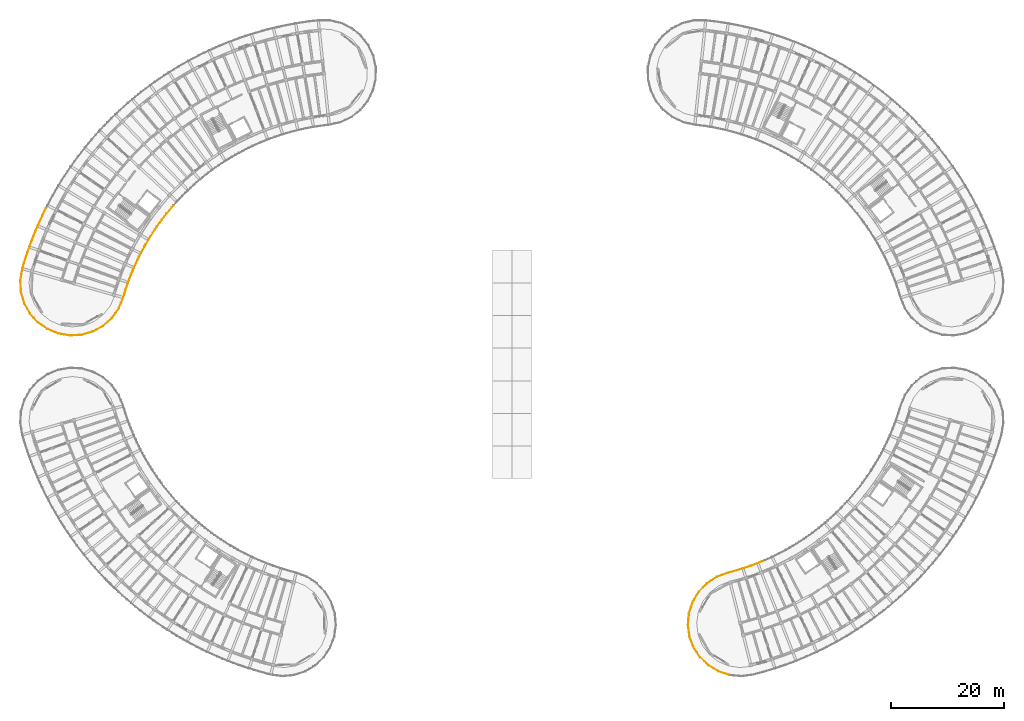
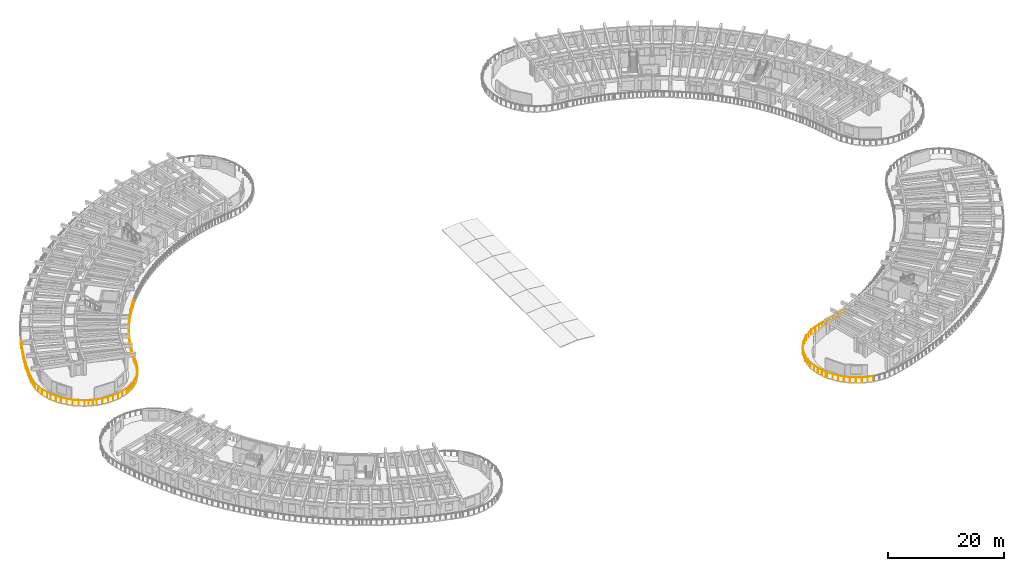
# One storey, part 56 of 69: 11 railings.
"""IFC4 building model written with IfcOpenShell, lengths in metres."""

import ifcopenshell
import ifcopenshell.guid

model = None  # the IFC model being written
_history = None  # IfcOwnerHistory: only IFC2X3 demands one
_inside = {}  # id of a spatial element -> (the spatial element, [elements in it])
_under = {}  # id of a project, library or spatial element -> (it, [spatial elements below it])
_declared = {}  # id of a project -> (the project, [libraries it declares])
_typed = {}  # id of a type object -> (the type object, [elements of that type])
_made_of = {}  # id of a material, layer set ... -> (it, [elements and type objects made of it])


def new_model(schema):
    """Start an empty IFC model of exactly this schema.

    Asked for "IFC4X3", IfcOpenShell would pick the latest addendum, in which some entities
    have other attributes; the version numbers below select the first issue.
    IFC2X3 requires an IfcOwnerHistory on every rooted entity: one is made here for all.
    """
    global model, _history
    if schema == "IFC4X3":
        model = ifcopenshell.file(schema_version=(4, 3, 0, 0))
    else:
        model = ifcopenshell.file(schema=schema)
    _inside.clear()
    _under.clear()
    _declared.clear()
    _typed.clear()
    _made_of.clear()
    _history = None
    if model.schema == "IFC2X3":
        org = make("IfcOrganization", Name="unknown")
        user = make(
            "IfcPersonAndOrganization",
            ThePerson=make("IfcPerson", FamilyName="unknown"),
            TheOrganization=org,
        )
        app = make(
            "IfcApplication",
            ApplicationDeveloper=org,
            Version="unknown",
            ApplicationFullName="unknown",
            ApplicationIdentifier="unknown",
        )
        _history = make(
            "IfcOwnerHistory",
            OwningUser=user,
            OwningApplication=app,
            ChangeAction="ADDED",
            CreationDate=0,
        )
    return model


def make(cls, **values):
    """One entity of the class cls with the attributes given. An attribute that is None is left unset."""
    return model.create_entity(
        cls, **{name: value for name, value in values.items() if value is not None}
    )


def rooted(cls, **values):
    """An entity with a GlobalId (a new one), such as an element, a storey or a relation."""
    return make(cls, GlobalId=ifcopenshell.guid.new(), OwnerHistory=_history, **values)


def si_unit(unit_type, name, prefix=None):
    """IfcSIUnit, for example si_unit("LENGTHUNIT", "METRE", prefix="MILLI")."""
    return make("IfcSIUnit", UnitType=unit_type, Prefix=prefix, Name=name)


def assignment(units):
    """IfcUnitAssignment: the units of a project."""
    return None if units is None else make("IfcUnitAssignment", Units=units)


def point(xyz):
    """IfcCartesianPoint."""
    return None if xyz is None else make("IfcCartesianPoint", Coordinates=xyz)


def direction(xyz):
    """IfcDirection."""
    return None if xyz is None else make("IfcDirection", DirectionRatios=xyz)


def frame(location, z_axis=None, x_axis=None):
    """IfcAxis2Placement3D, a coordinate frame: its origin and axes. An axis left out is left unset."""
    return make(
        "IfcAxis2Placement3D",
        Location=point(location),
        Axis=direction(z_axis),
        RefDirection=direction(x_axis),
    )


def frame_2d(location, x_axis=None):
    """IfcAxis2Placement2D, a coordinate frame in the plane: its origin and x axis."""
    return make(
        "IfcAxis2Placement2D", Location=point(location), RefDirection=direction(x_axis)
    )


def origin():
    """The frame at (0, 0, 0) with its axes left unset."""
    return frame((0.0, 0.0, 0.0))


def origin_2d():
    """The frame at (0, 0) in the plane with its x axis left unset."""
    return frame_2d((0.0, 0.0))


def place(relative_to, where):
    """IfcLocalPlacement: puts the frame where relative to a parent placement (None: the world)."""
    return make(
        "IfcLocalPlacement", PlacementRelTo=relative_to, RelativePlacement=where
    )


def context(
    kind, dimensions, precision=None, world=None, true_north=None, identifier=None
):
    """IfcGeometricRepresentationContext, for example the 3D "Model" context."""
    return make(
        "IfcGeometricRepresentationContext",
        ContextIdentifier=identifier,
        ContextType=kind,
        CoordinateSpaceDimension=dimensions,
        Precision=precision,
        WorldCoordinateSystem=world,
        TrueNorth=true_north,
    )


def subcontext(parent, identifier, kind, view, scale=None):
    """IfcGeometricRepresentationSubContext, for example "Body" below "Model"."""
    return make(
        "IfcGeometricRepresentationSubContext",
        ContextIdentifier=identifier,
        ContextType=kind,
        ParentContext=parent,
        TargetScale=scale,
        TargetView=view,
    )


def project(units=None, contexts=None):
    """IfcProject with its units and contexts."""
    return rooted(
        "IfcProject",
        Name="project",
        RepresentationContexts=contexts,
        UnitsInContext=assignment(units),
    )


def spatial(cls, under=None, at=None, **own):
    """A site, building, storey or space (cls), placed at a placement, below another one or the project."""
    s = rooted(cls, ObjectPlacement=at, **own)
    if under is not None:
        _under.setdefault(under.id(), (under, []))[1].append(s)
    return s


def profile(cls, at=None, kind="AREA", **sizes):
    """A parametric profile (cls). Its sizes go by their IFC names, for example OverallWidth=200.0."""
    return make(cls, ProfileType=kind, Position=at, **sizes)


def circle(**sizes):
    """IfcCircleProfileDef."""
    return profile("IfcCircleProfileDef", **sizes)


def extrude(swept, where, along, depth):
    """IfcExtrudedAreaSolid: the profile swept, set in the frame where, extruded along a direction by depth."""
    return make(
        "IfcExtrudedAreaSolid",
        SweptArea=swept,
        Position=where,
        ExtrudedDirection=direction(along),
        Depth=depth,
    )


def shape(context_of_items, identifier, shape_type, items):
    """IfcShapeRepresentation: the items that make up one representation, for example the "Body"."""
    return make(
        "IfcShapeRepresentation",
        ContextOfItems=context_of_items,
        RepresentationIdentifier=identifier,
        RepresentationType=shape_type,
        Items=items,
    )


def material(Name=None, Category=None):
    """IfcMaterial."""
    return make("IfcMaterial", Name=Name, Category=Category)


def made_of(thing, what):
    """Note that an element or type object is made of a material, layer set ...; save() writes the relation."""
    if what is not None:
        _made_of.setdefault(what.id(), (what, []))[1].append(thing)
    return thing


def type_object(cls, material=None, **own):
    """A type object (cls), such as IfcWallType, which elements share."""
    return made_of(rooted(cls, **own), material)


def element(
    cls,
    number,
    at=None,
    inside=None,
    cuts=None,
    type_object=None,
    material=None,
    context=None,
    identifier="Body",
    shape_type=None,
    held_by="IfcProductDefinitionShape",
    body=None,
    shapes=None,
    **own,
):
    """One element of the class cls, such as IfcWall. Its Tag is "e" and its number.

    at: its placement. inside: the storey or other place that contains it. cuts: it is an
    opening in that element (IfcRelVoidsElement). A single representation is given by context,
    identifier, shape_type and body (its items); several are given by shapes. held_by: the class
    of the entity that holds the representations. save() writes the other relations.
    """
    e = rooted(cls, Tag="e%d" % number, ObjectPlacement=at, **own)
    if body is not None:
        shapes = [shape(context, identifier, shape_type, body)]
    if shapes is not None:
        e.Representation = make(held_by, Representations=shapes)
    if inside is not None:
        _inside.setdefault(inside.id(), (inside, []))[1].append(e)
    if cuts is not None:
        rooted(
            "IfcRelVoidsElement", RelatingBuildingElement=cuts, RelatedOpeningElement=e
        )
    if type_object is not None:
        _typed.setdefault(type_object.id(), (type_object, []))[1].append(e)
    return made_of(e, material)


def aggregate(whole, parts):
    """IfcRelAggregates: a whole, such as a stair, and the parts it consists of."""
    return rooted("IfcRelAggregates", RelatingObject=whole, RelatedObjects=parts)


def save(model, path):
    """Write the relations noted so far, then the file.

    IfcRelAggregates (storeys below a building ...), IfcRelContainedInSpatialStructure (elements
    in a storey), IfcRelDefinesByType, IfcRelAssociatesMaterial and IfcRelDeclares: one each for
    every whole, place, type object, material and project.
    """
    for whole, parts in _under.values():
        aggregate(whole, parts)
    for where, things in _inside.values():
        rooted(
            "IfcRelContainedInSpatialStructure",
            RelatedElements=things,
            RelatingStructure=where,
        )
    for kind, things in _typed.values():
        rooted("IfcRelDefinesByType", RelatedObjects=things, RelatingType=kind)
    for what, things in _made_of.values():
        rooted("IfcRelAssociatesMaterial", RelatedObjects=things, RelatingMaterial=what)
    for by, libraries in _declared.values():
        rooted("IfcRelDeclares", RelatingContext=by, RelatedDefinitions=libraries)
    model.write(path)


model = new_model("IFC4")

# Units and contexts
model_context = context("Model", 3, precision=1e-05, world=origin(), true_north=direction((0.0, 1.0)))
body_context = subcontext(model_context, "Body", "Model", "MODEL_VIEW")
ifc_project = project(units=[si_unit("LENGTHUNIT", "METRE"), si_unit("AREAUNIT", "SQUARE_METRE"), si_unit("VOLUMEUNIT", "CUBIC_METRE"), si_unit("PLANEANGLEUNIT", "RADIAN"), si_unit("MASSUNIT", "GRAM", prefix="KILO")], contexts=[model_context])

# Site, building, storey
site_placement = place(None, origin())
site = spatial("IfcSite", under=ifc_project, at=site_placement, CompositionType="ELEMENT")
building_placement = place(site_placement, origin())
building = spatial("IfcBuilding", under=site, at=building_placement, Name="Tanwirah Colonnade Gardens", CompositionType="ELEMENT")
storey_placement = place(building_placement, frame((0.0, 0.0, 15.56005859375)))
storey = spatial("IfcBuildingStorey", under=building, at=storey_placement, Name="L04", CompositionType="ELEMENT", Elevation=15.56005859375)

# Railings
ifc_material = material(Name="Precast concrete C40/50", Category="concrete")
railing_type_1 = type_object("IfcRailingType", Name="BAL-EXT110", PredefinedType="BALUSTRADE", material=ifc_material)
railing_1_placement = place(storey_placement, frame((129.36962890625, 22.35888671875, 0.0)))
element("IfcRailing", 1, at=railing_1_placement, inside=storey, type_object=railing_type_1, Name="Block D L04 Balcony Ribbon Balustrade 1", PredefinedType="BALUSTRADE", context=body_context, shape_type="SweptSolid", body=[
    extrude(circle(Radius=0.02392578125, at=origin_2d()), frame((0.029296875, 0.010986328125, 1.076171875), z_axis=(0.937103821965, 0.349050751121, 0.0), x_axis=(-0.349050751121, 0.937103821965, 0.0)), (0.0, 0.0, 1.0), 2.029541015625),
    extrude(circle(Radius=0.02392578125, at=origin_2d()), frame((1.99072265625, 0.73828125, 1.076171875), z_axis=(0.96619995466, 0.257793808332, 0.0), x_axis=(-0.257793808332, 0.96619995466, 0.0)), (0.0, 0.0, 1.0), 1.32763671875),
    extrude(circle(Radius=0.02392578125, at=origin_2d()), frame((3.33642578125, 1.098388671875, 1.076171875), z_axis=(0.957270084886, 0.289195408993, 0.0), x_axis=(-0.289195408993, 0.957270084886, 0.0)), (0.0, 0.0, 1.0), 1.331298828125),
    extrude(circle(Radius=0.02392578125, at=origin_2d()), frame((4.6728515625, 1.503173828125, 1.076171875), z_axis=(0.947255234668, 0.320480140404, 0.0), x_axis=(-0.320480140404, 0.947255234668, 0.0)), (0.0, 0.0, 1.0), 1.33154296875),
    extrude(circle(Radius=0.02392578125, at=origin_2d()), frame((5.99560546875, 1.951904296875, 1.076171875), z_axis=(0.936314781462, 0.351161828813, 0.0), x_axis=(-0.351161828813, 0.936314781462, 0.0)), (0.0, 0.0, 1.0), 1.33154296875),
    extrude(circle(Radius=0.02392578125, at=origin_2d()), frame((7.302734375, 2.443359375, 1.076171875), z_axis=(0.924297734164, 0.38167223978, 0.0), x_axis=(-0.38167223978, 0.924297734164, 0.0)), (0.0, 0.0, 1.0), 0.7626953125),
    extrude(circle(Radius=0.02099609375, at=origin_2d()), origin(), (0.0, 0.0, 1.0), 1.049072265625),
    extrude(circle(Radius=0.02099609375, at=origin_2d()), frame((0.980224609375, 0.365234375, 0.0)), (0.0, 0.0, 1.0), 1.049072265625),
    extrude(circle(Radius=0.02099609375, at=origin_2d()), frame((1.96044921875, 0.730224609375, 0.0)), (0.0, 0.0, 1.0), 1.049072265625),
    extrude(circle(Radius=0.02099609375, at=origin_2d()), frame((2.632080078125, 0.909423828125, 0.0)), (0.0, 0.0, 1.0), 1.049072265625),
    extrude(circle(Radius=0.02099609375, at=origin_2d()), frame((3.3037109375, 1.088623046875, 0.0)), (0.0, 0.0, 1.0), 1.049072265625),
    extrude(circle(Radius=0.02099609375, at=origin_2d()), frame((3.9736328125, 1.291015625, 0.0)), (0.0, 0.0, 1.0), 1.049072265625),
    extrude(circle(Radius=0.02099609375, at=origin_2d()), frame((4.640625, 1.492431640625, 0.0)), (0.0, 0.0, 1.0), 1.049072265625),
    extrude(circle(Radius=0.02099609375, at=origin_2d()), frame((5.3037109375, 1.716552734375, 0.0)), (0.0, 0.0, 1.0), 1.049072265625),
    extrude(circle(Radius=0.02099609375, at=origin_2d()), frame((5.9638671875, 1.93994140625, 0.0)), (0.0, 0.0, 1.0), 1.049072265625),
    extrude(circle(Radius=0.02099609375, at=origin_2d()), frame((6.618896484375, 2.185546875, 0.0)), (0.0, 0.0, 1.0), 1.049072265625),
    extrude(circle(Radius=0.02099609375, at=origin_2d()), frame((7.271484375, 2.430419921875, 0.0)), (0.0, 0.0, 1.0), 1.049072265625),
    extrude(circle(Radius=0.02099609375, at=origin_2d()), frame((8.03662109375, 2.746337890625, 0.0)), (0.0, 0.0, 1.0), 1.049072265625),
])
railing_2_placement = place(storey_placement, frame((131.574951171875, 4.956298828125, 0.0)))
element("IfcRailing", 2, at=railing_2_placement, inside=storey, type_object=railing_type_1, Name="Block D L04 Balcony Ribbon Balustrade 18", PredefinedType="BALUSTRADE", context=body_context, shape_type="SweptSolid", body=[
    extrude(circle(Radius=0.02392578125, at=origin_2d()), frame((-0.02978515625, 0.009765625, 1.076171875), z_axis=(-0.950295740151, 0.311348689176, 0.0), x_axis=(-0.311348689176, -0.950295740151, 0.0)), (0.0, 0.0, 1.0), 1.90576171875),
    extrude(circle(Radius=0.02392578125, at=origin_2d()), frame((-1.897216796875, 0.62890625, 1.076171875), z_axis=(-0.85719342111, 0.514994600754, 0.0), x_axis=(-0.514994600754, -0.85719342111, 0.0)), (0.0, 0.0, 1.0), 2.0244140625),
    extrude(circle(Radius=0.02392578125, at=origin_2d()), frame((-3.681640625, 1.709228515625, 1.076171875), z_axis=(-0.721062309091, 0.692870223353, 0.0), x_axis=(-0.692870223353, -0.721062309091, 0.0)), (0.0, 0.0, 1.0), 2.0244140625),
    extrude(circle(Radius=0.02392578125, at=origin_2d()), frame((-5.18115234375, 3.15966796875, 1.076171875), z_axis=(-0.548773979468, 0.835970764715, 0.0), x_axis=(-0.835970764715, -0.548773979468, 0.0)), (0.0, 0.0, 1.0), 2.0244140625),
    extrude(circle(Radius=0.02392578125, at=origin_2d()), frame((-6.3203125, 4.907470703125, 1.076171875), z_axis=(-0.349248505254, 0.937030139098, 0.0), x_axis=(-0.937030139098, -0.349248505254, 0.0)), (0.0, 0.0, 1.0), 0.208740234375),
    extrude(circle(Radius=0.02099609375, at=origin_2d()), origin(), (0.0, 0.0, 1.0), 1.049072265625),
    extrude(circle(Radius=0.02099609375, at=origin_2d()), frame((-0.93505859375, 0.306396484375, 0.0)), (0.0, 0.0, 1.0), 1.049072265625),
    extrude(circle(Radius=0.02099609375, at=origin_2d()), frame((-1.870361328125, 0.61279296875, 0.0)), (0.0, 0.0, 1.0), 1.049072265625),
    extrude(circle(Radius=0.02099609375, at=origin_2d()), frame((-2.7646484375, 1.150146484375, 0.0)), (0.0, 0.0, 1.0), 1.049072265625),
    extrude(circle(Radius=0.02099609375, at=origin_2d()), frame((-3.6591796875, 1.6875, 0.0)), (0.0, 0.0, 1.0), 1.049072265625),
    extrude(circle(Radius=0.02099609375, at=origin_2d()), frame((-4.41162109375, 2.41064453125, 0.0)), (0.0, 0.0, 1.0), 1.049072265625),
    extrude(circle(Radius=0.02099609375, at=origin_2d()), frame((-5.1640625, 3.133544921875, 0.0)), (0.0, 0.0, 1.0), 1.049072265625),
    extrude(circle(Radius=0.02099609375, at=origin_2d()), frame((-5.73681640625, 4.005859375, 0.0)), (0.0, 0.0, 1.0), 1.049072265625),
    extrude(circle(Radius=0.02099609375, at=origin_2d()), frame((-6.309326171875, 4.878173828125, 0.0)), (0.0, 0.0, 1.0), 1.049072265625),
    extrude(circle(Radius=0.02099609375, at=origin_2d()), frame((-6.404052734375, 5.13232421875, 0.0)), (0.0, 0.0, 1.0), 1.049072265625),
])
railing_3_placement = place(storey_placement, frame((125.1708984375, 10.088623046875, 0.0)))
element("IfcRailing", 3, at=railing_3_placement, inside=storey, type_object=railing_type_1, Name="Block D L04 Balcony Ribbon Balustrade 19", PredefinedType="BALUSTRADE", context=body_context, shape_type="SweptSolid", body=[
    extrude(circle(Radius=0.02392578125, at=origin_2d()), frame((-0.010986328125, 0.029296875, 1.076171875), z_axis=(-0.348956204715, 0.93713903301, 0.0), x_axis=(-0.93713903301, -0.348956204715, 0.0)), (0.0, 0.0, 1.0), 1.7529296875),
    extrude(circle(Radius=0.02392578125, at=origin_2d()), frame((-0.6376953125, 1.732421875, 1.076171875), z_axis=(-0.131849522063, 0.991269743073, 0.0), x_axis=(-0.991269743073, -0.131849522063, 0.0)), (0.0, 0.0, 1.0), 2.0244140625),
    extrude(circle(Radius=0.02392578125, at=origin_2d()), frame((-0.90576171875, 3.80126953125, 1.076171875), z_axis=(0.092181027347, 0.995742264945, 0.0), x_axis=(-0.995742264945, 0.092181027347, 0.0)), (0.0, 0.0, 1.0), 2.0244140625),
    extrude(circle(Radius=0.02392578125, at=origin_2d()), frame((-0.70654296875, 5.8779296875, 1.076171875), z_axis=(0.311415597507, 0.950273816134, 0.0), x_axis=(-0.950273816134, 0.311415597507, 0.0)), (0.0, 0.0, 1.0), 2.0244140625),
    extrude(circle(Radius=0.02392578125, at=origin_2d()), frame((-0.05029296875, 7.858154296875, 1.076171875), z_axis=(0.51483484624, 0.857289380021, 0.0), x_axis=(-0.857289380021, 0.51483484624, 0.0)), (0.0, 0.0, 1.0), 0.36083984375),
    extrude(circle(Radius=0.02099609375, at=origin_2d()), origin(), (0.0, 0.0, 1.0), 1.049072265625),
    extrude(circle(Radius=0.02099609375, at=origin_2d()), frame((-0.31689453125, 0.8505859375, 0.0)), (0.0, 0.0, 1.0), 1.049072265625),
    extrude(circle(Radius=0.02099609375, at=origin_2d()), frame((-0.633544921875, 1.701416015625, 0.0)), (0.0, 0.0, 1.0), 1.049072265625),
    extrude(circle(Radius=0.02099609375, at=origin_2d()), frame((-0.77099609375, 2.73583984375, 0.0)), (0.0, 0.0, 1.0), 1.049072265625),
    extrude(circle(Radius=0.02099609375, at=origin_2d()), frame((-0.90869140625, 3.77001953125, 0.0)), (0.0, 0.0, 1.0), 1.049072265625),
    extrude(circle(Radius=0.02099609375, at=origin_2d()), frame((-0.8125, 4.80908203125, 0.0)), (0.0, 0.0, 1.0), 1.049072265625),
    extrude(circle(Radius=0.02099609375, at=origin_2d()), frame((-0.71630859375, 5.84814453125, 0.0)), (0.0, 0.0, 1.0), 1.049072265625),
    extrude(circle(Radius=0.02099609375, at=origin_2d()), frame((-0.391357421875, 6.83984375, 0.0)), (0.0, 0.0, 1.0), 1.049072265625),
    extrude(circle(Radius=0.02099609375, at=origin_2d()), frame((-0.06640625, 7.831298828125, 0.0)), (0.0, 0.0, 1.0), 1.049072265625),
    extrude(circle(Radius=0.02099609375, at=origin_2d()), frame((0.151611328125, 8.1943359375, 0.0)), (0.0, 0.0, 1.0), 1.049072265625),
])
railing_4_placement = place(storey_placement, frame((125.322509765625, 18.282958984375, 0.0)))
element("IfcRailing", 4, at=railing_4_placement, inside=storey, type_object=railing_type_1, Name="Block D L04 Balcony Ribbon Balustrade 20", PredefinedType="BALUSTRADE", context=body_context, shape_type="SweptSolid", body=[
    extrude(circle(Radius=0.02392578125, at=origin_2d()), frame((0.01611328125, 0.02685546875, 1.076171875), z_axis=(0.515035269405, 0.857168986413, 0.0), x_axis=(-0.857168986413, 0.515035269405, 0.0)), (0.0, 0.0, 1.0), 1.600830078125),
    extrude(circle(Radius=0.02392578125, at=origin_2d()), frame((0.87841796875, 1.4482421875, 1.076171875), z_axis=(0.692870223353, 0.721062309091, 0.0), x_axis=(-0.721062309091, 0.692870223353, 0.0)), (0.0, 0.0, 1.0), 2.0244140625),
    extrude(circle(Radius=0.02392578125, at=origin_2d()), frame((2.328857421875, 2.94775390625, 1.076171875), z_axis=(0.835935529347, 0.548827651248, 0.0), x_axis=(-0.548827651248, 0.835935529347, 0.0)), (0.0, 0.0, 1.0), 2.024169921875),
    extrude(circle(Radius=0.02099609375, at=origin_2d()), origin(), (0.0, 0.0, 1.0), 1.049072265625),
    extrude(circle(Radius=0.02099609375, at=origin_2d()), frame((0.42822265625, 0.712890625, 0.0)), (0.0, 0.0, 1.0), 1.049072265625),
    extrude(circle(Radius=0.02099609375, at=origin_2d()), frame((0.856689453125, 1.42578125, 0.0)), (0.0, 0.0, 1.0), 1.049072265625),
    extrude(circle(Radius=0.02099609375, at=origin_2d()), frame((1.57958984375, 2.17822265625, 0.0)), (0.0, 0.0, 1.0), 1.049072265625),
    extrude(circle(Radius=0.02099609375, at=origin_2d()), frame((2.302734375, 2.9306640625, 0.0)), (0.0, 0.0, 1.0), 1.049072265625),
    extrude(circle(Radius=0.02099609375, at=origin_2d()), frame((3.1748046875, 3.50341796875, 0.0)), (0.0, 0.0, 1.0), 1.049072265625),
    extrude(circle(Radius=0.02099609375, at=origin_2d()), frame((4.047119140625, 4.075927734375, 0.0)), (0.0, 0.0, 1.0), 1.049072265625),
])
railing_type_2 = type_object("IfcRailingType", Name="BAL-EXT112", PredefinedType="BALUSTRADE", material=ifc_material)
railing_5_placement = place(storey_placement, frame((32.869384765625, 88.28515625, 0.0)))
element("IfcRailing", 5, at=railing_5_placement, inside=storey, type_object=railing_type_2, Name="Block A L04 Balcony Ribbon Balustrade 5", PredefinedType="BALUSTRADE", context=body_context, shape_type="SweptSolid", body=[
    extrude(circle(Radius=0.02392578125, at=origin_2d()), frame((-0.020751953125, -0.0234375, 1.09619140625), z_axis=(-0.662562077046, -0.749007005348, 0.0), x_axis=(0.749007005348, -0.662562077046, 0.0)), (0.0, 0.0, 1.0), 0.3837890625),
    extrude(circle(Radius=0.02392578125, at=origin_2d()), frame((-0.3173828125, -0.3603515625, 1.09619140625), z_axis=(-0.637581943595, -0.770382544715, 0.0), x_axis=(0.770382544715, -0.637581943595, 0.0)), (0.0, 0.0, 1.0), 1.342041015625),
    extrude(circle(Radius=0.02392578125, at=origin_2d()), frame((-1.213623046875, -1.44482421875, 1.09619140625), z_axis=(-0.611783903817, -0.791024939576, 0.0), x_axis=(0.791024939576, -0.611783903817, 0.0)), (0.0, 0.0, 1.0), 1.341796875),
    extrude(circle(Radius=0.02392578125, at=origin_2d()), frame((-2.073486328125, -2.55859375, 1.09619140625), z_axis=(-0.585522290474, -0.810656306556, 0.0), x_axis=(0.810656306556, -0.585522290474, 0.0)), (0.0, 0.0, 1.0), 1.341796875),
    extrude(circle(Radius=0.02392578125, at=origin_2d()), frame((-2.896484375, -3.69970703125, 1.09619140625), z_axis=(-0.558385571779, -0.829581553091, 0.0), x_axis=(0.829581553091, -0.558385571779, 0.0)), (0.0, 0.0, 1.0), 1.341796875),
    extrude(circle(Radius=0.02392578125, at=origin_2d()), frame((-3.68115234375, -4.86767578125, 1.09619140625), z_axis=(-0.530764445851, -0.847519382091, 0.0), x_axis=(0.847519382091, -0.530764445851, 0.0)), (0.0, 0.0, 1.0), 1.341796875),
    extrude(circle(Radius=0.02392578125, at=origin_2d()), frame((-4.427001953125, -6.060546875, 1.09619140625), z_axis=(-0.502361540351, -0.864657667968, 0.0), x_axis=(0.864657667968, -0.502361540351, 0.0)), (0.0, 0.0, 1.0), 0.95361328125),
    extrude(circle(Radius=0.02099609375, at=origin_2d()), origin(), (0.0, 0.0, 1.0), 1.069091796875),
    extrude(circle(Radius=0.02099609375, at=origin_2d()), frame((-0.295654296875, -0.334228515625, 0.0)), (0.0, 0.0, 1.0), 1.069091796875),
    extrude(circle(Radius=0.02099609375, at=origin_2d()), frame((-0.7451171875, -0.877197265625, 0.0)), (0.0, 0.0, 1.0), 1.069091796875),
    extrude(circle(Radius=0.02099609375, at=origin_2d()), frame((-1.19287109375, -1.418212890625, 0.0)), (0.0, 0.0, 1.0), 1.069091796875),
    extrude(circle(Radius=0.02099609375, at=origin_2d()), frame((-1.6240234375, -1.9755859375, 0.0)), (0.0, 0.0, 1.0), 1.069091796875),
    extrude(circle(Radius=0.02099609375, at=origin_2d()), frame((-2.0537109375, -2.531005859375, 0.0)), (0.0, 0.0, 1.0), 1.069091796875),
    extrude(circle(Radius=0.02099609375, at=origin_2d()), frame((-2.46630859375, -3.1025390625, 0.0)), (0.0, 0.0, 1.0), 1.069091796875),
    extrude(circle(Radius=0.02099609375, at=origin_2d()), frame((-2.87744140625, -3.671630859375, 0.0)), (0.0, 0.0, 1.0), 1.069091796875),
    extrude(circle(Radius=0.02099609375, at=origin_2d()), frame((-3.27099609375, -4.25634765625, 0.0)), (0.0, 0.0, 1.0), 1.069091796875),
    extrude(circle(Radius=0.02099609375, at=origin_2d()), frame((-3.6630859375, -4.8388671875, 0.0)), (0.0, 0.0, 1.0), 1.069091796875),
    extrude(circle(Radius=0.02099609375, at=origin_2d()), frame((-4.037109375, -5.43603515625, 0.0)), (0.0, 0.0, 1.0), 1.069091796875),
    extrude(circle(Radius=0.02099609375, at=origin_2d()), frame((-4.409912109375, -6.03125, 0.0)), (0.0, 0.0, 1.0), 1.069091796875),
    extrude(circle(Radius=0.02099609375, at=origin_2d()), frame((-4.921875, -6.912109375, 0.0)), (0.0, 0.0, 1.0), 1.069091796875),
])
railing_6_placement = place(storey_placement, frame((27.947509765625, 81.373046875, 0.0)))
element("IfcRailing", 6, at=railing_6_placement, inside=storey, type_object=railing_type_2, Name="Block A L04 Balcony Ribbon Balustrade 6", PredefinedType="BALUSTRADE", context=body_context, shape_type="SweptSolid", body=[
    extrude(circle(Radius=0.02392578125, at=origin_2d()), frame((-0.015625, -0.027099609375, 1.09619140625), z_axis=(-0.502423717067, -0.864621540634, 0.0), x_axis=(0.864621540634, -0.502423717067, 0.0)), (0.0, 0.0, 1.0), 0.32568359375),
    extrude(circle(Radius=0.02392578125, at=origin_2d()), frame((-0.211181640625, -0.365478515625, 1.09619140625), z_axis=(-0.473716211853, -0.880677552018, 0.0), x_axis=(0.880677552018, -0.473716211853, 0.0)), (0.0, 0.0, 1.0), 1.341796875),
    extrude(circle(Radius=0.02392578125, at=origin_2d()), frame((-0.876708984375, -1.60498046875, 1.09619140625), z_axis=(-0.444499692011, -0.895779003885, 0.0), x_axis=(0.895779003885, -0.444499692011, 0.0)), (0.0, 0.0, 1.0), 1.341796875),
    extrude(circle(Radius=0.02392578125, at=origin_2d()), frame((-1.501220703125, -2.865966796875, 1.09619140625), z_axis=(-0.414654197084, -0.909979063957, 0.0), x_axis=(0.909979063957, -0.414654197084, 0.0)), (0.0, 0.0, 1.0), 1.341796875),
    extrude(circle(Radius=0.02392578125, at=origin_2d()), frame((-2.08349609375, -4.146484375, 1.09619140625), z_axis=(-0.384541319971, -0.923107779858, 0.0), x_axis=(0.923107779858, -0.384541319971, 0.0)), (0.0, 0.0, 1.0), 1.341796875),
    extrude(circle(Radius=0.02392578125, at=origin_2d()), frame((-2.62353515625, -5.44580078125, 1.09619140625), z_axis=(-0.353789339155, -0.935325132508, 0.0), x_axis=(0.935325132508, -0.353789339155, 0.0)), (0.0, 0.0, 1.0), 1.341796875),
    extrude(circle(Radius=0.02392578125, at=origin_2d()), frame((-3.120361328125, -6.761962890625, 1.09619140625), z_axis=(-0.322900627553, -0.946432873862, 0.0), x_axis=(0.946432873862, -0.322900627553, 0.0)), (0.0, 0.0, 1.0), 1.011962890625),
    extrude(circle(Radius=0.02099609375, at=origin_2d()), origin(), (0.0, 0.0, 1.0), 1.069091796875),
    extrude(circle(Radius=0.02099609375, at=origin_2d()), frame((-0.195068359375, -0.335693359375, 0.0)), (0.0, 0.0, 1.0), 1.069091796875),
    extrude(circle(Radius=0.02099609375, at=origin_2d()), frame((-0.52880859375, -0.956298828125, 0.0)), (0.0, 0.0, 1.0), 1.069091796875),
    extrude(circle(Radius=0.02099609375, at=origin_2d()), frame((-0.861572265625, -1.57470703125, 0.0)), (0.0, 0.0, 1.0), 1.069091796875),
    extrude(circle(Radius=0.02099609375, at=origin_2d()), frame((-1.1748046875, -2.2060546875, 0.0)), (0.0, 0.0, 1.0), 1.069091796875),
    extrude(circle(Radius=0.02099609375, at=origin_2d()), frame((-1.487060546875, -2.8349609375, 0.0)), (0.0, 0.0, 1.0), 1.069091796875),
    extrude(circle(Radius=0.02099609375, at=origin_2d()), frame((-1.779296875, -3.476318359375, 0.0)), (0.0, 0.0, 1.0), 1.069091796875),
    extrude(circle(Radius=0.02099609375, at=origin_2d()), frame((-2.070556640625, -4.115234375, 0.0)), (0.0, 0.0, 1.0), 1.069091796875),
    extrude(circle(Radius=0.02099609375, at=origin_2d()), frame((-2.341552734375, -4.765869140625, 0.0)), (0.0, 0.0, 1.0), 1.069091796875),
    extrude(circle(Radius=0.02099609375, at=origin_2d()), frame((-2.611572265625, -5.4140625, 0.0)), (0.0, 0.0, 1.0), 1.069091796875),
    extrude(circle(Radius=0.02099609375, at=origin_2d()), frame((-2.86083984375, -6.0732421875, 0.0)), (0.0, 0.0, 1.0), 1.069091796875),
    extrude(circle(Radius=0.02099609375, at=origin_2d()), frame((-3.109375, -6.72998046875, 0.0)), (0.0, 0.0, 1.0), 1.069091796875),
    extrude(circle(Radius=0.02099609375, at=origin_2d()), frame((-3.457275390625, -7.749267578125, 0.0)), (0.0, 0.0, 1.0), 1.069091796875),
])
railing_7_placement = place(storey_placement, frame((24.490234375, 73.623779296875, 0.0)))
element("IfcRailing", 7, at=railing_7_placement, inside=storey, type_object=railing_type_2, Name="Block A L04 Balcony Ribbon Balustrade 7", PredefinedType="BALUSTRADE", context=body_context, shape_type="SweptSolid", body=[
    extrude(circle(Radius=0.02392578125, at=origin_2d()), frame((-0.010009765625, -0.029541015625, 1.09619140625), z_axis=(-0.322432998428, -0.946592288963, 0.0), x_axis=(0.946592288963, -0.322432998428, 0.0)), (0.0, 0.0, 1.0), 0.267578125),
    extrude(circle(Radius=0.02392578125, at=origin_2d()), frame((-0.1162109375, -0.3447265625, 1.09619140625), z_axis=(-0.29148764702, -0.956574592823, 0.0), x_axis=(0.956574592823, -0.29148764702, 0.0)), (0.0, 0.0, 1.0), 1.337890625),
    extrude(circle(Radius=0.02392578125, at=origin_2d()), frame((-0.52734375, -1.683349609375, 1.09619140625), z_axis=(-0.381489237895, -0.92437328032, 0.0), x_axis=(0.92437328032, -0.381489237895, 0.0)), (0.0, 0.0, 1.0), 2.029541015625),
    extrude(circle(Radius=0.02392578125, at=origin_2d()), frame((-1.33154296875, -3.614013671875, 1.09619140625), z_axis=(-0.577647272924, -0.816286486525, 0.0), x_axis=(0.816286486525, -0.577647272924, 0.0)), (0.0, 0.0, 1.0), 2.0244140625),
    extrude(circle(Radius=0.02392578125, at=origin_2d()), frame((-2.542236328125, -5.312744140625, 1.09619140625), z_axis=(-0.744822012119, -0.667263194146, 0.0), x_axis=(0.667263194146, -0.744822012119, 0.0)), (0.0, 0.0, 1.0), 2.0244140625),
    extrude(circle(Radius=0.02392578125, at=origin_2d()), frame((-4.100830078125, -6.69970703125, 1.09619140625), z_axis=(-0.874616555828, -0.48481530532, 0.0), x_axis=(0.48481530532, -0.874616555828, 0.0)), (0.0, 0.0, 1.0), 0.4384765625),
    extrude(circle(Radius=0.02099609375, at=origin_2d()), origin(), (0.0, 0.0, 1.0), 1.069091796875),
    extrude(circle(Radius=0.02099609375, at=origin_2d()), frame((-0.1064453125, -0.3125, 0.0)), (0.0, 0.0, 1.0), 1.069091796875),
    extrude(circle(Radius=0.02099609375, at=origin_2d()), frame((-0.311279296875, -0.98486328125, 0.0)), (0.0, 0.0, 1.0), 1.069091796875),
    extrude(circle(Radius=0.02099609375, at=origin_2d()), frame((-0.515380859375, -1.654541015625, 0.0)), (0.0, 0.0, 1.0), 1.069091796875),
    extrude(circle(Radius=0.02099609375, at=origin_2d()), frame((-0.91455078125, -2.62158203125, 0.0)), (0.0, 0.0, 1.0), 1.069091796875),
    extrude(circle(Radius=0.02099609375, at=origin_2d()), frame((-1.3134765625, -3.58837890625, 0.0)), (0.0, 0.0, 1.0), 1.069091796875),
    extrude(circle(Radius=0.02099609375, at=origin_2d()), frame((-1.916259765625, -4.440185546875, 0.0)), (0.0, 0.0, 1.0), 1.069091796875),
    extrude(circle(Radius=0.02099609375, at=origin_2d()), frame((-2.51904296875, -5.2919921875, 0.0)), (0.0, 0.0, 1.0), 1.069091796875),
    extrude(circle(Radius=0.02099609375, at=origin_2d()), frame((-3.29638671875, -5.98828125, 0.0)), (0.0, 0.0, 1.0), 1.069091796875),
    extrude(circle(Radius=0.02099609375, at=origin_2d()), frame((-4.073486328125, -6.6845703125, 0.0)), (0.0, 0.0, 1.0), 1.069091796875),
    extrude(circle(Radius=0.02099609375, at=origin_2d()), frame((-4.51171875, -6.927490234375, 0.0)), (0.0, 0.0, 1.0), 1.069091796875),
])
railing_8_placement = place(storey_placement, frame((19.978515625, 66.6962890625, 0.0)))
element("IfcRailing", 8, at=railing_8_placement, inside=storey, type_object=railing_type_2, Name="Block A L04 Balcony Ribbon Balustrade 8", PredefinedType="BALUSTRADE", context=body_context, shape_type="SweptSolid", body=[
    extrude(circle(Radius=0.02392578125, at=origin_2d()), frame((-0.02734375, -0.01513671875, 1.09619140625), z_axis=(-0.874621647365, -0.48480611997, 0.0), x_axis=(0.48480611997, -0.874621647365, 0.0)), (0.0, 0.0, 1.0), 1.523193359375),
    extrude(circle(Radius=0.02392578125, at=origin_2d()), frame((-1.4169921875, -0.777587890625, 1.09619140625), z_axis=(-0.960560153031, -0.278072279108, 0.0), x_axis=(0.278072279108, -0.960560153031, 0.0)), (0.0, 0.0, 1.0), 2.0244140625),
    extrude(circle(Radius=0.02392578125, at=origin_2d()), frame((-3.4228515625, -1.350830078125, 1.09619140625), z_axis=(-0.998362374442, -0.057206374631, 0.0), x_axis=(0.057206374631, -0.998362374442, 0.0)), (0.0, 0.0, 1.0), 2.0244140625),
    extrude(circle(Radius=0.02392578125, at=origin_2d()), frame((-5.505859375, -1.46337890625, 1.09619140625), z_axis=(-0.986085511051, 0.166238879013, 0.0), x_axis=(-0.166238879013, -0.986085511051, 0.0)), (0.0, 0.0, 1.0), 2.0244140625),
    extrude(circle(Radius=0.02392578125, at=origin_2d()), frame((-7.561767578125, -1.109619140625, 1.09619140625), z_axis=(-0.924376024919, 0.381482587487, 0.0), x_axis=(-0.381482587487, -0.924376024919, 0.0)), (0.0, 0.0, 1.0), 0.5908203125),
    extrude(circle(Radius=0.02099609375, at=origin_2d()), origin(), (0.0, 0.0, 1.0), 1.069091796875),
    extrude(circle(Radius=0.02099609375, at=origin_2d()), frame((-0.693359375, -0.38427734375, 0.0)), (0.0, 0.0, 1.0), 1.069091796875),
    extrude(circle(Radius=0.02099609375, at=origin_2d()), frame((-1.386962890625, -0.768798828125, 0.0)), (0.0, 0.0, 1.0), 1.069091796875),
    extrude(circle(Radius=0.02099609375, at=origin_2d()), frame((-2.38916015625, -1.05908203125, 0.0)), (0.0, 0.0, 1.0), 1.069091796875),
    extrude(circle(Radius=0.02099609375, at=origin_2d()), frame((-3.3916015625, -1.34912109375, 0.0)), (0.0, 0.0, 1.0), 1.069091796875),
    extrude(circle(Radius=0.02099609375, at=origin_2d()), frame((-4.433349609375, -1.40869140625, 0.0)), (0.0, 0.0, 1.0), 1.069091796875),
    extrude(circle(Radius=0.02099609375, at=origin_2d()), frame((-5.47509765625, -1.468505859375, 0.0)), (0.0, 0.0, 1.0), 1.069091796875),
    extrude(circle(Radius=0.02099609375, at=origin_2d()), frame((-6.50390625, -1.294921875, 0.0)), (0.0, 0.0, 1.0), 1.069091796875),
    extrude(circle(Radius=0.02099609375, at=origin_2d()), frame((-7.532958984375, -1.12158203125, 0.0)), (0.0, 0.0, 1.0), 1.069091796875),
    extrude(circle(Radius=0.02099609375, at=origin_2d()), frame((-8.136962890625, -0.872314453125, 0.0)), (0.0, 0.0, 1.0), 1.069091796875),
])
railing_9_placement = place(storey_placement, frame((11.841552734375, 65.823974609375, 0.0)))
element("IfcRailing", 9, at=railing_9_placement, inside=storey, type_object=railing_type_2, Name="Block A L04 Balcony Ribbon Balustrade 9", PredefinedType="BALUSTRADE", context=body_context, shape_type="SweptSolid", body=[
    extrude(circle(Radius=0.02392578125, at=origin_2d()), frame((-0.02880859375, 0.011962890625, 1.09619140625), z_axis=(-0.924356771704, 0.381529236893, 0.0), x_axis=(-0.381529236893, -0.924356771704, 0.0)), (0.0, 0.0, 1.0), 1.370849609375),
    extrude(circle(Radius=0.02392578125, at=origin_2d()), frame((-1.3505859375, 0.56494140625, 1.09619140625), z_axis=(-0.816286486525, 0.577647272924, 0.0), x_axis=(-0.577647272924, -0.816286486525, 0.0)), (0.0, 0.0, 1.0), 2.0244140625),
    extrude(circle(Radius=0.02392578125, at=origin_2d()), frame((-3.04931640625, 1.775634765625, 1.09619140625), z_axis=(-0.667263194146, 0.744822012119, 0.0), x_axis=(-0.744822012119, -0.667263194146, 0.0)), (0.0, 0.0, 1.0), 2.0244140625),
    extrude(circle(Radius=0.02392578125, at=origin_2d()), frame((-4.436279296875, 3.334228515625, 1.09619140625), z_axis=(-0.484808325403, 0.874620424882, 0.0), x_axis=(-0.874620424882, -0.484808325403, 0.0)), (0.0, 0.0, 1.0), 2.0244140625),
    extrude(circle(Radius=0.02392578125, at=origin_2d()), frame((-5.441650390625, 5.162109375, 1.09619140625), z_axis=(-0.277881479948, 0.960615366888, 0.0), x_axis=(-0.960615366888, -0.277881479948, 0.0)), (0.0, 0.0, 1.0), 0.7431640625),
    extrude(circle(Radius=0.02099609375, at=origin_2d()), origin(), (0.0, 0.0, 1.0), 1.069091796875),
    extrude(circle(Radius=0.02099609375, at=origin_2d()), frame((-0.66259765625, 0.2734375, 0.0)), (0.0, 0.0, 1.0), 1.069091796875),
    extrude(circle(Radius=0.02099609375, at=origin_2d()), frame((-1.324951171875, 0.546875, 0.0)), (0.0, 0.0, 1.0), 1.069091796875),
    extrude(circle(Radius=0.02099609375, at=origin_2d()), frame((-2.1767578125, 1.149658203125, 0.0)), (0.0, 0.0, 1.0), 1.069091796875),
    extrude(circle(Radius=0.02099609375, at=origin_2d()), frame((-3.028564453125, 1.75244140625, 0.0)), (0.0, 0.0, 1.0), 1.069091796875),
    extrude(circle(Radius=0.02099609375, at=origin_2d()), frame((-3.724853515625, 2.52978515625, 0.0)), (0.0, 0.0, 1.0), 1.069091796875),
    extrude(circle(Radius=0.02099609375, at=origin_2d()), frame((-4.421142578125, 3.306884765625, 0.0)), (0.0, 0.0, 1.0), 1.069091796875),
    extrude(circle(Radius=0.02099609375, at=origin_2d()), frame((-4.927001953125, 4.219482421875, 0.0)), (0.0, 0.0, 1.0), 1.069091796875),
    extrude(circle(Radius=0.02099609375, at=origin_2d()), frame((-5.432861328125, 5.132080078125, 0.0)), (0.0, 0.0, 1.0), 1.069091796875),
    extrude(circle(Radius=0.02099609375, at=origin_2d()), frame((-5.65673828125, 5.906005859375, 0.0)), (0.0, 0.0, 1.0), 1.069091796875),
])
railing_10_placement = place(storey_placement, frame((6.184814453125, 71.72998046875, 0.0)))
element("IfcRailing", 10, at=railing_10_placement, inside=storey, type_object=railing_type_2, Name="Block A L04 Balcony Ribbon Balustrade 10", PredefinedType="BALUSTRADE", context=body_context, shape_type="SweptSolid", body=[
    extrude(circle(Radius=0.02392578125, at=origin_2d()), frame((-0.0087890625, 0.030029296875, 1.09619140625), z_axis=(-0.278016434724, 0.960576317646, 0.0), x_axis=(-0.960576317646, -0.278016434724, 0.0)), (0.0, 0.0, 1.0), 1.21875),
    extrude(circle(Radius=0.02392578125, at=origin_2d()), frame((-0.35791015625, 1.261962890625, 1.09619140625), z_axis=(-0.057322977065, 0.998355686266, 0.0), x_axis=(-0.998355686266, -0.057322977065, 0.0)), (0.0, 0.0, 1.0), 2.0244140625),
    extrude(circle(Radius=0.02392578125, at=origin_2d()), frame((-0.470703125, 3.344970703125, 1.09619140625), z_axis=(0.166292387508, 0.986076488847, 0.0), x_axis=(-0.986076488847, 0.166292387508, 0.0)), (0.0, 0.0, 1.0), 2.028076171875),
    extrude(circle(Radius=0.02392578125, at=origin_2d()), frame((-0.119140625, 5.405517578125, 1.09619140625), z_axis=(0.291363831298, 0.956612313224, 0.0), x_axis=(-0.956612313224, 0.291363831298, 0.0)), (0.0, 0.0, 1.0), 1.955078125),
    extrude(circle(Radius=0.02392578125, at=origin_2d()), frame((0.4697265625, 7.33544921875, 1.09619140625), z_axis=(0.322945869443, 0.946417437186, 0.0), x_axis=(-0.946417437186, 0.322945869443, 0.0)), (0.0, 0.0, 1.0), 0.961181640625),
    extrude(circle(Radius=0.02099609375, at=origin_2d()), origin(), (0.0, 0.0, 1.0), 1.069091796875),
    extrude(circle(Radius=0.02099609375, at=origin_2d()), frame((-0.356201171875, 1.230712890625, 0.0)), (0.0, 0.0, 1.0), 1.069091796875),
    extrude(circle(Radius=0.02099609375, at=origin_2d()), frame((-0.416015625, 2.2724609375, 0.0)), (0.0, 0.0, 1.0), 1.069091796875),
    extrude(circle(Radius=0.02099609375, at=origin_2d()), frame((-0.475830078125, 3.314208984375, 0.0)), (0.0, 0.0, 1.0), 1.069091796875),
    extrude(circle(Radius=0.02099609375, at=origin_2d()), frame((-0.302001953125, 4.344970703125, 0.0)), (0.0, 0.0, 1.0), 1.069091796875),
    extrude(circle(Radius=0.02099609375, at=origin_2d()), frame((-0.128173828125, 5.375732421875, 0.0)), (0.0, 0.0, 1.0), 1.069091796875),
    extrude(circle(Radius=0.02099609375, at=origin_2d()), frame((0.165771484375, 6.3408203125, 0.0)), (0.0, 0.0, 1.0), 1.069091796875),
    extrude(circle(Radius=0.02099609375, at=origin_2d()), frame((0.459716796875, 7.305908203125, 0.0)), (0.0, 0.0, 1.0), 1.069091796875),
    extrude(circle(Radius=0.02099609375, at=origin_2d()), frame((0.790283203125, 8.274658203125, 0.0)), (0.0, 0.0, 1.0), 1.069091796875),
])
railing_11_placement = place(storey_placement, frame((6.97509765625, 80.004638671875, 0.0)))
element("IfcRailing", 11, at=railing_11_placement, inside=storey, type_object=railing_type_2, Name="Block A L04 Balcony Ribbon Balustrade 11", PredefinedType="BALUSTRADE", context=body_context, shape_type="SweptSolid", body=[
    extrude(circle(Radius=0.02392578125, at=origin_2d()), frame((0.010009765625, 0.029541015625, 1.09619140625), z_axis=(0.322753642414, 0.946483008991, 0.0), x_axis=(-0.946483008991, 0.322753642414, 0.0)), (0.0, 0.0, 1.0), 0.935302734375),
    extrude(circle(Radius=0.02392578125, at=origin_2d()), frame((0.3330078125, 0.9736328125, 1.09619140625), z_axis=(0.353874964852, 0.935292739869, 0.0), x_axis=(-0.935292739869, 0.353874964852, 0.0)), (0.0, 0.0, 1.0), 1.958984375),
    extrude(circle(Radius=0.02392578125, at=origin_2d()), frame((1.04931640625, 2.86376953125, 1.09619140625), z_axis=(0.384409566544, 0.92316265368, 0.0), x_axis=(-0.92316265368, 0.384409566544, 0.0)), (0.0, 0.0, 1.0), 1.958984375),
    extrude(circle(Radius=0.02392578125, at=origin_2d()), frame((1.827392578125, 4.729736328125, 1.09619140625), z_axis=(0.414749084938, 0.909935820013, 0.0), x_axis=(-0.909935820013, 0.414749084938, 0.0)), (0.0, 0.0, 1.0), 1.958984375),
    extrude(circle(Radius=0.02392578125, at=origin_2d()), frame((2.666748046875, 6.568603515625, 1.09619140625), z_axis=(0.444426333087, 0.895815401999, 0.0), x_axis=(-0.895815401999, 0.444426333087, 0.0)), (0.0, 0.0, 1.0), 1.375),
    extrude(circle(Radius=0.02099609375, at=origin_2d()), origin(), (0.0, 0.0, 1.0), 1.069091796875),
    extrude(circle(Radius=0.02099609375, at=origin_2d()), frame((0.322021484375, 0.9443359375, 0.0)), (0.0, 0.0, 1.0), 1.069091796875),
    extrude(circle(Radius=0.02099609375, at=origin_2d()), frame((0.6796875, 1.8896484375, 0.0)), (0.0, 0.0, 1.0), 1.069091796875),
    extrude(circle(Radius=0.02099609375, at=origin_2d()), frame((1.037353515625, 2.8349609375, 0.0)), (0.0, 0.0, 1.0), 1.069091796875),
    extrude(circle(Radius=0.02099609375, at=origin_2d()), frame((1.42578125, 3.76806640625, 0.0)), (0.0, 0.0, 1.0), 1.069091796875),
    extrude(circle(Radius=0.02099609375, at=origin_2d()), frame((1.814453125, 4.701171875, 0.0)), (0.0, 0.0, 1.0), 1.069091796875),
    extrude(circle(Radius=0.02099609375, at=origin_2d()), frame((2.233642578125, 5.620849609375, 0.0)), (0.0, 0.0, 1.0), 1.069091796875),
    extrude(circle(Radius=0.02099609375, at=origin_2d()), frame((2.65283203125, 6.54052734375, 0.0)), (0.0, 0.0, 1.0), 1.069091796875),
    extrude(circle(Radius=0.02099609375, at=origin_2d()), frame((2.97216796875, 7.1845703125, 0.0)), (0.0, 0.0, 1.0), 1.069091796875),
    extrude(circle(Radius=0.02099609375, at=origin_2d()), frame((3.291748046875, 7.828369140625, 0.0)), (0.0, 0.0, 1.0), 1.069091796875),
])

save(model, "model.ifc")
